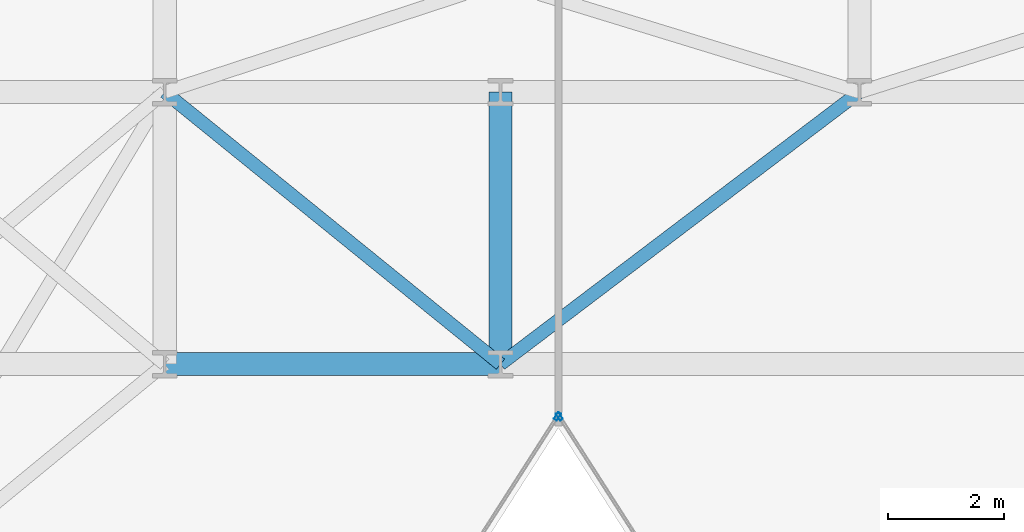
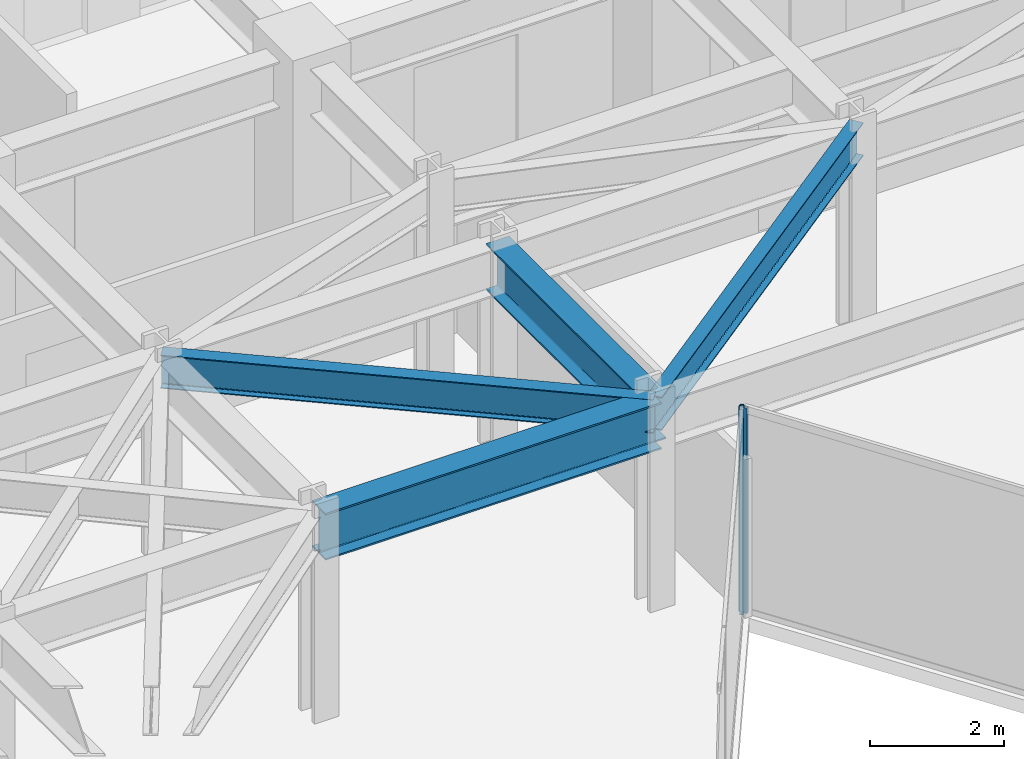
# One storey, part 13 of 26: 4 beams, 2 members, 2 elements without a shape of their own.
"""IFC4 building model written with IfcOpenShell, lengths in metres."""

from ifc_helpers import new_model, si_unit, direction, frame, origin, origin_2d, place, context, subcontext, project, spatial, hollow_rectangle, i_section, extrude, material, layer, layer_set, material_profile, profile_set, type_object, element, aggregate, save


model = new_model("IFC4")

# Units and contexts
model_context = context("Model", 3, precision=1e-05, world=origin(), true_north=direction((0.0, 1.0)))
body_context = subcontext(model_context, "Body", "Model", "MODEL_VIEW")
ifc_project = project(units=[si_unit("LENGTHUNIT", "METRE"), si_unit("AREAUNIT", "SQUARE_METRE"), si_unit("VOLUMEUNIT", "CUBIC_METRE"), si_unit("PLANEANGLEUNIT", "RADIAN"), si_unit("MASSUNIT", "GRAM", prefix="KILO")], contexts=[model_context])

# Site, building, storey
site_placement = place(None, origin())
site = spatial("IfcSite", under=ifc_project, at=site_placement, CompositionType="ELEMENT")
building_placement = place(site_placement, origin())
building = spatial("IfcBuilding", under=site, at=building_placement, Name="Kravanh Interchange Tower", CompositionType="ELEMENT")
storey_placement = place(building_placement, frame((0.0, 0.0, 120.0)))
storey = spatial("IfcBuildingStorey", under=building, at=storey_placement, Name="L28", CompositionType="ELEMENT", Elevation=120.0)

# Curtain wall, member
ifc_material_1 = material(Name="Anodised Bronze Aluminium", Category="aluminium")
ifc_layer = layer(ifc_material_1, 0.179931640625)
ifc_layer_set = layer_set([ifc_layer], Name="Unitised Curtain Wall System CW-Z2 Mid Office")
curtain_wall_type = type_object("IfcCurtainWallType", Name="Unitised Curtain Wall System CW-Z2 Mid Office", PredefinedType="NOTDEFINED", material=ifc_layer_set)
curtain_wall_1_placement = place(storey_placement, origin())
curtain_wall_1 = element("IfcCurtainWall", 1, at=curtain_wall_1_placement, inside=storey, type_object=curtain_wall_type, Name="L28 Unitised Curtain Wall CW-L28-04", PredefinedType="NOTDEFINED")
ifc_material_2 = material(Name="Anodised Bronze Aluminium", Category="aluminium")
ifc_material_profile_1 = material_profile(ifc_material_2, hollow_rectangle(XDim=0.06005859375, YDim=0.139892578125, WallThickness=0.00390625, at=origin_2d()), Name="ALU60X140X4")
ifc_profile_set_1 = profile_set([ifc_material_profile_1], Name="Anodised Bronze Aluminium")
member_type = type_object("IfcMemberType", Name="Curtain Wall Mullion ALU60X140X4 Bronze", PredefinedType="MULLION", material=ifc_profile_set_1)
member_1_placement = place(storey_placement, frame((39.6162109375, 25.897216796875, 0.0), z_axis=(0.0, 0.0, 1.0), x_axis=(-0.841879939476, -0.539664865919, 0.0)))
member_1 = element("IfcMember", 2, at=member_1_placement, type_object=member_type, Name="CW-Z2 mullion 5", PredefinedType="MULLION", context=body_context, shape_type="SweptSolid", body=[
    extrude(hollow_rectangle(XDim=0.06005859375, YDim=0.139892578125, WallThickness=0.00390625, at=origin_2d()), origin(), (0.0, 0.0, 1.0), 3.75),
])
aggregate(curtain_wall_1, [member_1])

curtain_wall_2_placement = place(storey_placement, origin())
curtain_wall_2 = element("IfcCurtainWall", 3, at=curtain_wall_2_placement, inside=storey, type_object=curtain_wall_type, Name="L28 Unitised Curtain Wall CW-L28-05", PredefinedType="NOTDEFINED")
member_2_placement = place(storey_placement, frame((39.583740234375, 25.897216796875, 0.0), z_axis=(0.0, 0.0, 1.0), x_axis=(0.841879939476, -0.539664865919, 0.0)))
member_2 = element("IfcMember", 4, at=member_2_placement, type_object=member_type, Name="CW-Z2 mullion 1", PredefinedType="MULLION", context=body_context, shape_type="SweptSolid", body=[
    extrude(hollow_rectangle(XDim=0.06005859375, YDim=0.139892578125, WallThickness=0.00390625, at=origin_2d()), origin(), (0.0, 0.0, 1.0), 3.75),
])
aggregate(curtain_wall_2, [member_2])

# Beams
ifc_material_3 = material(Name="Structural Steel S355", Category="steel")
ifc_material_profile_2 = material_profile(ifc_material_3, i_section(OverallWidth=0.39990234375, OverallDepth=0.85595703125, WebThickness=0.018310546875, FlangeThickness=0.029296875, FilletRadius=0.02490234375, at=origin_2d()), Name="W33X201")
ifc_profile_set_2 = profile_set([ifc_material_profile_2], Name="Structural Steel S355")
beam_type_1 = type_object("IfcBeamType", Name="Floor Beam W33X201 Structural Steel S355", PredefinedType="BEAM", material=ifc_profile_set_2)
beam_1_placement = place(storey_placement, frame((32.800048828125, 26.800048828125, 3.322021484375), z_axis=(1.0, 0.0, 0.0), x_axis=(0.0, 1.0, 0.0)))
element("IfcBeam", 5, at=beam_1_placement, inside=storey, type_object=beam_type_1, Name="L28 Primary Floor Girder 50", PredefinedType="BEAM", context=body_context, shape_type="SweptSolid", body=[
    extrude(i_section(OverallWidth=0.39990234375, OverallDepth=0.85595703125, WebThickness=0.018310546875, FlangeThickness=0.029296875, FilletRadius=0.02490234375, at=origin_2d()), origin(), (0.0, 0.0, 1.0), 5.800048828125),
])
beam_2_placement = place(storey_placement, frame((38.60009765625, 26.800048828125, 3.322021484375), z_axis=(0.0, 1.0, 0.0), x_axis=(-1.0, 0.0, 0.0)))
element("IfcBeam", 6, at=beam_2_placement, inside=storey, type_object=beam_type_1, Name="L28 Primary Floor Girder 53", PredefinedType="BEAM", context=body_context, shape_type="SweptSolid", body=[
    extrude(i_section(OverallWidth=0.39990234375, OverallDepth=0.85595703125, WebThickness=0.018310546875, FlangeThickness=0.029296875, FilletRadius=0.02490234375, at=origin_2d()), origin(), (0.0, 0.0, 1.0), 4.699951171875),
])
ifc_material_4 = material(Name="Structural Steel S355", Category="steel")
ifc_material_profile_3 = material_profile(ifc_material_4, i_section(OverallWidth=0.22802734375, OverallDepth=0.60791015625, WebThickness=0.01123046875, FlangeThickness=0.017333984375, FilletRadius=0.02197265625, at=origin_2d()), Name="W24X76")
ifc_profile_set_3 = profile_set([ifc_material_profile_3], Name="Structural Steel S355")
beam_type_2 = type_object("IfcBeamType", Name="Floor Spandrel W24X76 Structural Steel S355", PredefinedType="SPANDREL", material=ifc_profile_set_3)
beam_3_placement = place(storey_placement, frame((38.60009765625, 26.800048828125, 3.446044921875), z_axis=(-0.776938619557, 0.629576350764, 0.0), x_axis=(-0.629576350764, -0.776938619557, 0.0)))
element("IfcBeam", 7, at=beam_3_placement, inside=storey, type_object=beam_type_2, Name="L28 Perimeter Spandrel 54", PredefinedType="SPANDREL", context=body_context, shape_type="SweptSolid", body=[
    extrude(i_section(OverallWidth=0.22802734375, OverallDepth=0.60791015625, WebThickness=0.01123046875, FlangeThickness=0.017333984375, FilletRadius=0.02197265625, at=origin_2d()), origin(), (0.0, 0.0, 1.0), 7.46533203125),
])
beam_4_placement = place(storey_placement, frame((38.60009765625, 26.800048828125, 3.446044921875), z_axis=(0.796905365509, 0.604104161898, 0.0), x_axis=(-0.604104161898, 0.796905365509, 0.0)))
element("IfcBeam", 8, at=beam_4_placement, inside=storey, type_object=beam_type_2, Name="L28 Perimeter Spandrel 55", PredefinedType="SPANDREL", context=body_context, shape_type="SweptSolid", body=[
    extrude(i_section(OverallWidth=0.22802734375, OverallDepth=0.60791015625, WebThickness=0.01123046875, FlangeThickness=0.017333984375, FilletRadius=0.02197265625, at=origin_2d()), origin(), (0.0, 0.0, 1.0), 7.780029296875),
])

save(model, "model.ifc")
